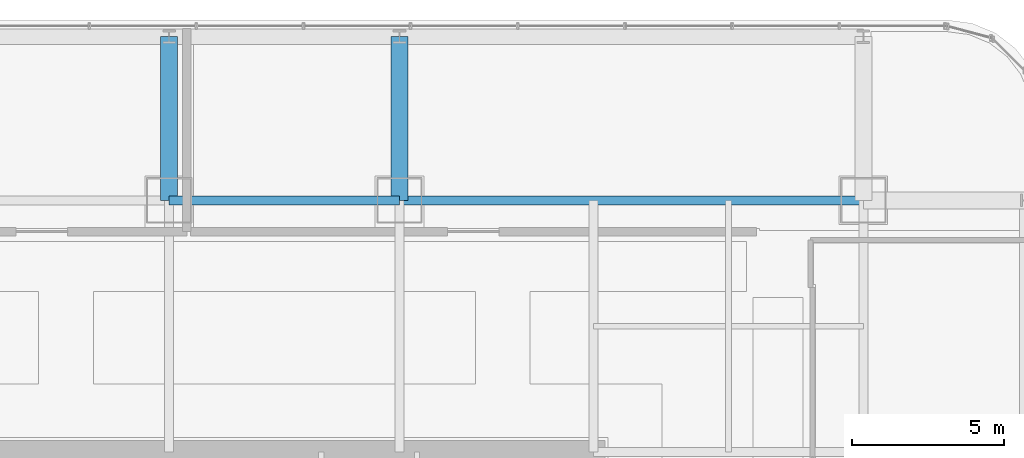
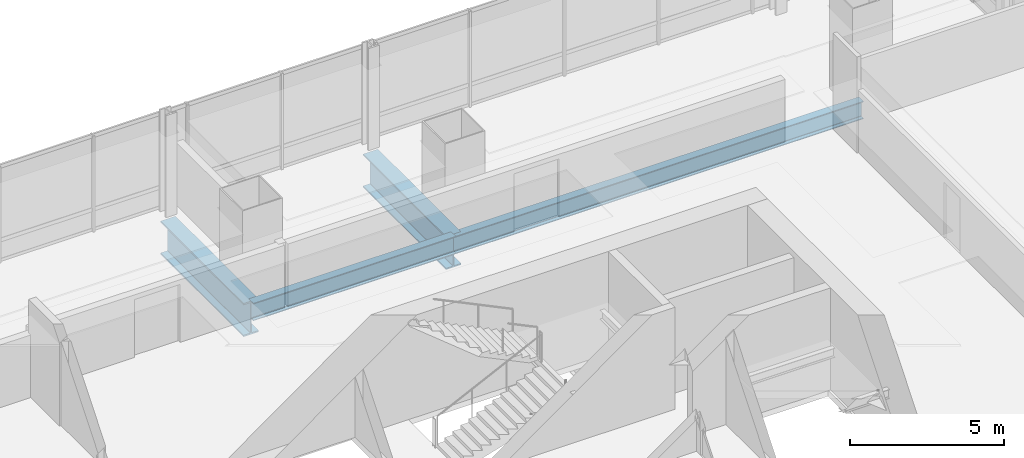
# One storey, part 20 of 34: 4 beams.
"""IFC4 building model written with IfcOpenShell, lengths in metres."""

import ifcopenshell
import ifcopenshell.guid

model = None  # the IFC model being written
_history = None  # IfcOwnerHistory: only IFC2X3 demands one
_inside = {}  # id of a spatial element -> (the spatial element, [elements in it])
_under = {}  # id of a project, library or spatial element -> (it, [spatial elements below it])
_declared = {}  # id of a project -> (the project, [libraries it declares])
_typed = {}  # id of a type object -> (the type object, [elements of that type])
_made_of = {}  # id of a material, layer set ... -> (it, [elements and type objects made of it])


def new_model(schema):
    """Start an empty IFC model of exactly this schema.

    Asked for "IFC4X3", IfcOpenShell would pick the latest addendum, in which some entities
    have other attributes; the version numbers below select the first issue.
    IFC2X3 requires an IfcOwnerHistory on every rooted entity: one is made here for all.
    """
    global model, _history
    if schema == "IFC4X3":
        model = ifcopenshell.file(schema_version=(4, 3, 0, 0))
    else:
        model = ifcopenshell.file(schema=schema)
    _inside.clear()
    _under.clear()
    _declared.clear()
    _typed.clear()
    _made_of.clear()
    _history = None
    if model.schema == "IFC2X3":
        org = make("IfcOrganization", Name="unknown")
        user = make(
            "IfcPersonAndOrganization",
            ThePerson=make("IfcPerson", FamilyName="unknown"),
            TheOrganization=org,
        )
        app = make(
            "IfcApplication",
            ApplicationDeveloper=org,
            Version="unknown",
            ApplicationFullName="unknown",
            ApplicationIdentifier="unknown",
        )
        _history = make(
            "IfcOwnerHistory",
            OwningUser=user,
            OwningApplication=app,
            ChangeAction="ADDED",
            CreationDate=0,
        )
    return model


def make(cls, **values):
    """One entity of the class cls with the attributes given. An attribute that is None is left unset."""
    return model.create_entity(
        cls, **{name: value for name, value in values.items() if value is not None}
    )


def rooted(cls, **values):
    """An entity with a GlobalId (a new one), such as an element, a storey or a relation."""
    return make(cls, GlobalId=ifcopenshell.guid.new(), OwnerHistory=_history, **values)


def si_unit(unit_type, name, prefix=None):
    """IfcSIUnit, for example si_unit("LENGTHUNIT", "METRE", prefix="MILLI")."""
    return make("IfcSIUnit", UnitType=unit_type, Prefix=prefix, Name=name)


def assignment(units):
    """IfcUnitAssignment: the units of a project."""
    return None if units is None else make("IfcUnitAssignment", Units=units)


def point(xyz):
    """IfcCartesianPoint."""
    return None if xyz is None else make("IfcCartesianPoint", Coordinates=xyz)


def direction(xyz):
    """IfcDirection."""
    return None if xyz is None else make("IfcDirection", DirectionRatios=xyz)


def frame(location, z_axis=None, x_axis=None):
    """IfcAxis2Placement3D, a coordinate frame: its origin and axes. An axis left out is left unset."""
    return make(
        "IfcAxis2Placement3D",
        Location=point(location),
        Axis=direction(z_axis),
        RefDirection=direction(x_axis),
    )


def frame_2d(location, x_axis=None):
    """IfcAxis2Placement2D, a coordinate frame in the plane: its origin and x axis."""
    return make(
        "IfcAxis2Placement2D", Location=point(location), RefDirection=direction(x_axis)
    )


def origin():
    """The frame at (0, 0, 0) with its axes left unset."""
    return frame((0.0, 0.0, 0.0))


def origin_2d():
    """The frame at (0, 0) in the plane with its x axis left unset."""
    return frame_2d((0.0, 0.0))


def place(relative_to, where):
    """IfcLocalPlacement: puts the frame where relative to a parent placement (None: the world)."""
    return make(
        "IfcLocalPlacement", PlacementRelTo=relative_to, RelativePlacement=where
    )


def context(
    kind, dimensions, precision=None, world=None, true_north=None, identifier=None
):
    """IfcGeometricRepresentationContext, for example the 3D "Model" context."""
    return make(
        "IfcGeometricRepresentationContext",
        ContextIdentifier=identifier,
        ContextType=kind,
        CoordinateSpaceDimension=dimensions,
        Precision=precision,
        WorldCoordinateSystem=world,
        TrueNorth=true_north,
    )


def subcontext(parent, identifier, kind, view, scale=None):
    """IfcGeometricRepresentationSubContext, for example "Body" below "Model"."""
    return make(
        "IfcGeometricRepresentationSubContext",
        ContextIdentifier=identifier,
        ContextType=kind,
        ParentContext=parent,
        TargetScale=scale,
        TargetView=view,
    )


def project(units=None, contexts=None):
    """IfcProject with its units and contexts."""
    return rooted(
        "IfcProject",
        Name="project",
        RepresentationContexts=contexts,
        UnitsInContext=assignment(units),
    )


def spatial(cls, under=None, at=None, **own):
    """A site, building, storey or space (cls), placed at a placement, below another one or the project."""
    s = rooted(cls, ObjectPlacement=at, **own)
    if under is not None:
        _under.setdefault(under.id(), (under, []))[1].append(s)
    return s


def profile(cls, at=None, kind="AREA", **sizes):
    """A parametric profile (cls). Its sizes go by their IFC names, for example OverallWidth=200.0."""
    return make(cls, ProfileType=kind, Position=at, **sizes)


def i_section(**sizes):
    """IfcIShapeProfileDef."""
    return profile("IfcIShapeProfileDef", **sizes)


def extrude(swept, where, along, depth):
    """IfcExtrudedAreaSolid: the profile swept, set in the frame where, extruded along a direction by depth."""
    return make(
        "IfcExtrudedAreaSolid",
        SweptArea=swept,
        Position=where,
        ExtrudedDirection=direction(along),
        Depth=depth,
    )


def shape(context_of_items, identifier, shape_type, items):
    """IfcShapeRepresentation: the items that make up one representation, for example the "Body"."""
    return make(
        "IfcShapeRepresentation",
        ContextOfItems=context_of_items,
        RepresentationIdentifier=identifier,
        RepresentationType=shape_type,
        Items=items,
    )


def material(Name=None, Category=None):
    """IfcMaterial."""
    return make("IfcMaterial", Name=Name, Category=Category)


def material_profile(
    of_material, cross_section, Name=None, Category=None, Priority=None
):
    """IfcMaterialProfile: a cross section and its material."""
    return make(
        "IfcMaterialProfile",
        Name=Name,
        Material=of_material,
        Profile=cross_section,
        Priority=Priority,
        Category=Category,
    )


def profile_set(profiles, Name=None, composite=None):
    """IfcMaterialProfileSet."""
    return make(
        "IfcMaterialProfileSet",
        Name=Name,
        MaterialProfiles=profiles,
        CompositeProfile=composite,
    )


def made_of(thing, what):
    """Note that an element or type object is made of a material, layer set ...; save() writes the relation."""
    if what is not None:
        _made_of.setdefault(what.id(), (what, []))[1].append(thing)
    return thing


def type_object(cls, material=None, **own):
    """A type object (cls), such as IfcWallType, which elements share."""
    return made_of(rooted(cls, **own), material)


def element(
    cls,
    number,
    at=None,
    inside=None,
    cuts=None,
    type_object=None,
    material=None,
    context=None,
    identifier="Body",
    shape_type=None,
    held_by="IfcProductDefinitionShape",
    body=None,
    shapes=None,
    **own,
):
    """One element of the class cls, such as IfcWall. Its Tag is "e" and its number.

    at: its placement. inside: the storey or other place that contains it. cuts: it is an
    opening in that element (IfcRelVoidsElement). A single representation is given by context,
    identifier, shape_type and body (its items); several are given by shapes. held_by: the class
    of the entity that holds the representations. save() writes the other relations.
    """
    e = rooted(cls, Tag="e%d" % number, ObjectPlacement=at, **own)
    if body is not None:
        shapes = [shape(context, identifier, shape_type, body)]
    if shapes is not None:
        e.Representation = make(held_by, Representations=shapes)
    if inside is not None:
        _inside.setdefault(inside.id(), (inside, []))[1].append(e)
    if cuts is not None:
        rooted(
            "IfcRelVoidsElement", RelatingBuildingElement=cuts, RelatedOpeningElement=e
        )
    if type_object is not None:
        _typed.setdefault(type_object.id(), (type_object, []))[1].append(e)
    return made_of(e, material)


def aggregate(whole, parts):
    """IfcRelAggregates: a whole, such as a stair, and the parts it consists of."""
    return rooted("IfcRelAggregates", RelatingObject=whole, RelatedObjects=parts)


def save(model, path):
    """Write the relations noted so far, then the file.

    IfcRelAggregates (storeys below a building ...), IfcRelContainedInSpatialStructure (elements
    in a storey), IfcRelDefinesByType, IfcRelAssociatesMaterial and IfcRelDeclares: one each for
    every whole, place, type object, material and project.
    """
    for whole, parts in _under.values():
        aggregate(whole, parts)
    for where, things in _inside.values():
        rooted(
            "IfcRelContainedInSpatialStructure",
            RelatedElements=things,
            RelatingStructure=where,
        )
    for kind, things in _typed.values():
        rooted("IfcRelDefinesByType", RelatedObjects=things, RelatingType=kind)
    for what, things in _made_of.values():
        rooted("IfcRelAssociatesMaterial", RelatedObjects=things, RelatingMaterial=what)
    for by, libraries in _declared.values():
        rooted("IfcRelDeclares", RelatingContext=by, RelatedDefinitions=libraries)
    model.write(path)


model = new_model("IFC4")

# Units and contexts
model_context = context("Model", 3, precision=1e-05, world=origin(), true_north=direction((0.0, 1.0)))
body_context = subcontext(model_context, "Body", "Model", "MODEL_VIEW")
ifc_project = project(units=[si_unit("LENGTHUNIT", "METRE"), si_unit("AREAUNIT", "SQUARE_METRE"), si_unit("VOLUMEUNIT", "CUBIC_METRE"), si_unit("PLANEANGLEUNIT", "RADIAN"), si_unit("MASSUNIT", "GRAM", prefix="KILO")], contexts=[model_context])

# Site, building, storey
site_placement = place(None, origin())
site = spatial("IfcSite", under=ifc_project, at=site_placement, CompositionType="ELEMENT")
building_placement = place(site_placement, origin())
building = spatial("IfcBuilding", under=site, at=building_placement, Name="Punatoya Terracotta Tower", CompositionType="ELEMENT")
storey_placement = place(building_placement, frame((0.0, 0.0, 105.14990234375)))
storey = spatial("IfcBuildingStorey", under=building, at=storey_placement, Name="L24", CompositionType="ELEMENT", Elevation=105.14990234375)

# Beams
ifc_material_1 = material(Name="Steel S355", Category="steel")
ifc_material_profile_1 = material_profile(ifc_material_1, i_section(OverallWidth=0.300048828125, OverallDepth=0.699951171875, WebThickness=0.01708984375, FlangeThickness=0.031982421875, FilletRadius=0.01806640625, at=origin_2d()))
ifc_profile_set_1 = profile_set([ifc_material_profile_1], Name="Steel S355")
beam_type_1 = type_object("IfcBeamType", Name="BM-PRI-700", PredefinedType="BEAM", material=ifc_profile_set_1)
beam_1_placement = place(storey_placement, frame((-3.800048828125, 17.5, -0.58984375), z_axis=(1.0, 0.0, 0.0), x_axis=(0.0, 1.0, 0.0)))
element("IfcBeam", 1, at=beam_1_placement, inside=storey, type_object=beam_type_1, Name="BM-L24-RG-N2", PredefinedType="BEAM", context=body_context, shape_type="SweptSolid", body=[
    extrude(i_section(OverallWidth=0.300048828125, OverallDepth=0.699951171875, WebThickness=0.01708984375, FlangeThickness=0.031982421875, FilletRadius=0.01806640625, at=origin_2d()), origin(), (0.0, 0.0, 1.0), 7.60009765625),
])
beam_2_placement = place(storey_placement, frame((3.800048828125, 17.5, -0.58984375), z_axis=(1.0, 0.0, 0.0), x_axis=(0.0, 1.0, 0.0)))
element("IfcBeam", 2, at=beam_2_placement, inside=storey, type_object=beam_type_1, Name="BM-L24-RG-N3", PredefinedType="BEAM", context=body_context, shape_type="SweptSolid", body=[
    extrude(i_section(OverallWidth=0.300048828125, OverallDepth=0.699951171875, WebThickness=0.01708984375, FlangeThickness=0.031982421875, FilletRadius=0.01806640625, at=origin_2d()), origin(), (0.0, 0.0, 1.0), 15.300048828125),
])
ifc_material_2 = material(Name="Steel S460", Category="steel")
ifc_material_profile_2 = material_profile(ifc_material_2, i_section(OverallWidth=0.56005859375, OverallDepth=1.320068359375, WebThickness=0.035888671875, FlangeThickness=0.054931640625, FilletRadius=0.01806640625, at=origin_2d()))
ifc_profile_set_2 = profile_set([ifc_material_profile_2], Name="Steel S460")
beam_type_2 = type_object("IfcBeamType", Name="BM-TG-BLK", PredefinedType="BEAM", material=ifc_profile_set_2)
for number, where, z_axis, x_axis, name in (
    (3, (-3.800048828125, 17.5, -0.89990234375), (0.0, 1.0, 0.0), (-1.0, 0.0, 0.0), "BM-L24-CANT-N2"),
    (4, (3.800048828125, 17.5, -0.89990234375), (0.0, 1.0, 0.0), (-1.0, 0.0, 0.0), "BM-L24-CANT-N3"),
):
    element("IfcBeam", number, at=place(storey_placement, frame(where, z_axis=z_axis, x_axis=x_axis)), inside=storey, type_object=beam_type_2, Name=name, PredefinedType="BEAM", context=body_context, shape_type="SweptSolid", body=[
        extrude(i_section(OverallWidth=0.56005859375, OverallDepth=1.320068359375, WebThickness=0.035888671875, FlangeThickness=0.054931640625, FilletRadius=0.01806640625, at=origin_2d()), origin(), (0.0, 0.0, 1.0), 5.39990234375),
    ])

save(model, "model.ifc")
